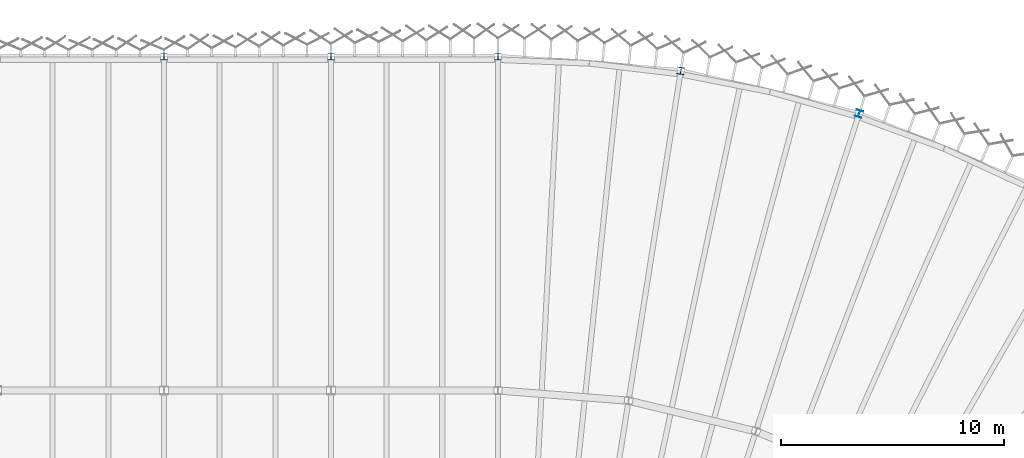
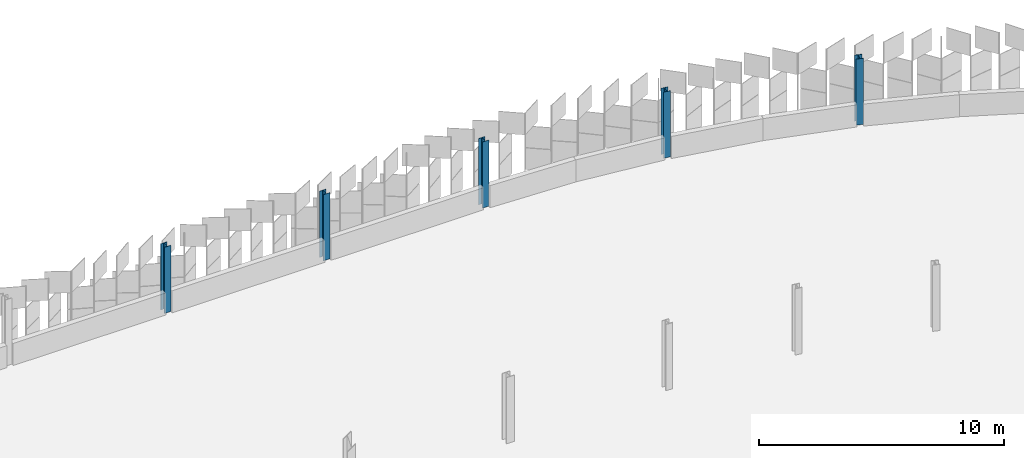
# One storey, part 27 of 198: 5 columns.
"""IFC4 building model written with IfcOpenShell, lengths in metres."""

from ifc_helpers import new_model, si_unit, direction, frame, origin, origin_2d, place, context, subcontext, project, spatial, i_section, extrude, material, material_profile, profile_set, type_object, element, save


model = new_model("IFC4")

# Units and contexts
model_context = context("Model", 3, precision=1e-05, world=origin(), true_north=direction((0.0, 1.0)))
body_context = subcontext(model_context, "Body", "Model", "MODEL_VIEW")
ifc_project = project(units=[si_unit("LENGTHUNIT", "METRE"), si_unit("AREAUNIT", "SQUARE_METRE"), si_unit("VOLUMEUNIT", "CUBIC_METRE"), si_unit("PLANEANGLEUNIT", "RADIAN"), si_unit("MASSUNIT", "GRAM", prefix="KILO")], contexts=[model_context])

# Site, building, storey
site_placement = place(None, origin())
site = spatial("IfcSite", under=ifc_project, at=site_placement, CompositionType="ELEMENT")
building_placement = place(site_placement, origin())
building = spatial("IfcBuilding", under=site, at=building_placement, Name="Parallax Yard Mobility Hub", CompositionType="ELEMENT")
storey_placement = place(building_placement, frame((0.0, 0.0, 6.60009765625)))
storey = spatial("IfcBuildingStorey", under=building, at=storey_placement, Name="L02", CompositionType="ELEMENT", Elevation=6.60009765625)

# Columns
ifc_material = material(Name="Steel ASTM A992", Category="steel")
ifc_material_profile = material_profile(ifc_material, i_section(OverallWidth=0.304931640625, OverallDepth=0.306884765625, WebThickness=0.010009765625, FlangeThickness=0.015380859375, FilletRadius=0.01513671875, at=origin_2d()), Name="W310x97")
ifc_profile_set = profile_set([ifc_material_profile], Name="Steel ASTM A992")
column_type = type_object("IfcColumnType", Name="W310x97 column", PredefinedType="COLUMN", material=ifc_profile_set)
for number, where, z_axis, x_axis, name in (
    (1, (157.5, 142.5, 0.0), (0.0, 0.0, 1.0), (1.0, 0.0, 0.0), "Column C1 level L02 at V/22 of ramped parking decks"),
    (2, (165.0, 142.5, 0.0), (0.0, 0.0, 1.0), (1.0, 0.0, 0.0), "Column C1 level L02 at V/23 of ramped parking decks"),
    (3, (172.5, 142.5, 0.0), (0.0, 0.0, 1.0), (1.0, 0.0, 0.0), "Column C1 level L02 at V/24 of ramped parking decks"),
    (4, (180.712890625, 141.853515625, 0.0), (0.0, 0.0, 1.0), (-0.987688340595, 0.15643446504, 0.0), "Column C1 level L02 at RC/R1 of ramped parking decks"),
    (5, (188.723388671875, 139.930419921875, 0.0), (0.0, 0.0, 1.0), (-0.951056516295, 0.309016994375, 0.0), "Column C1 level L02 at RC/R2 of ramped parking decks"),
):
    element("IfcColumn", number, at=place(storey_placement, frame(where, z_axis=z_axis, x_axis=x_axis)), inside=storey, type_object=column_type, Name=name, PredefinedType="COLUMN", context=body_context, shape_type="SweptSolid", body=[
        extrude(i_section(OverallWidth=0.304931640625, OverallDepth=0.306884765625, WebThickness=0.010009765625, FlangeThickness=0.015380859375, FilletRadius=0.01513671875, at=origin_2d()), origin(), (0.0, 0.0, 1.0), 3.2998046875),
    ])

save(model, "model.ifc")
